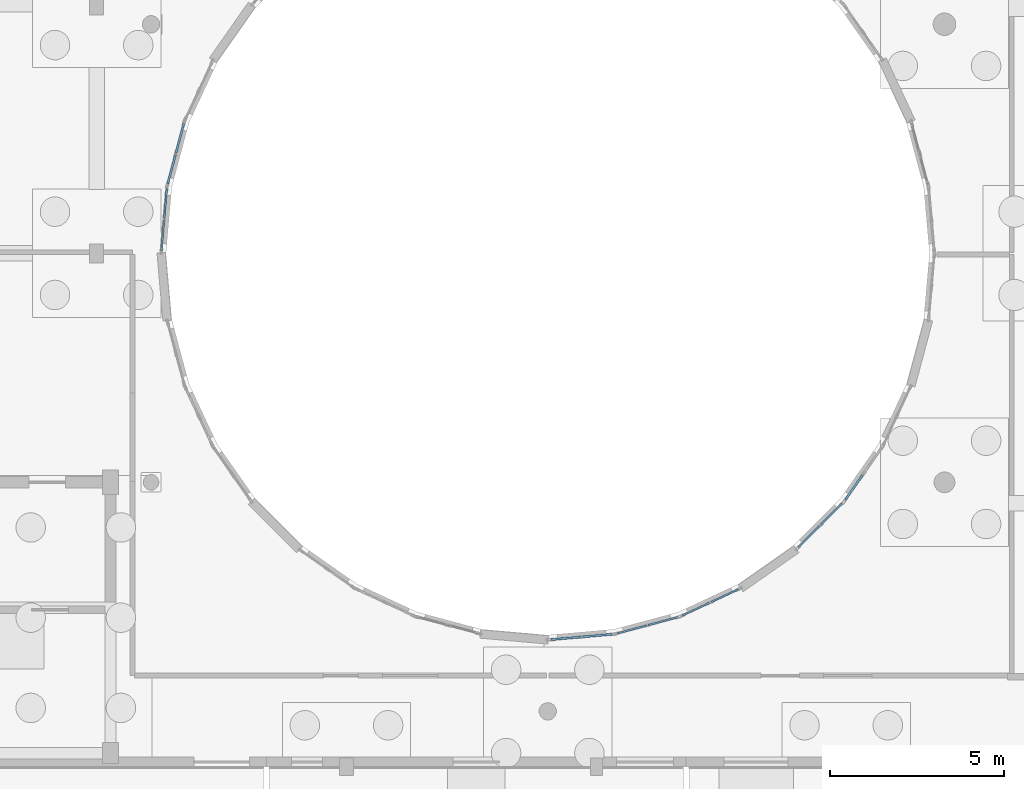
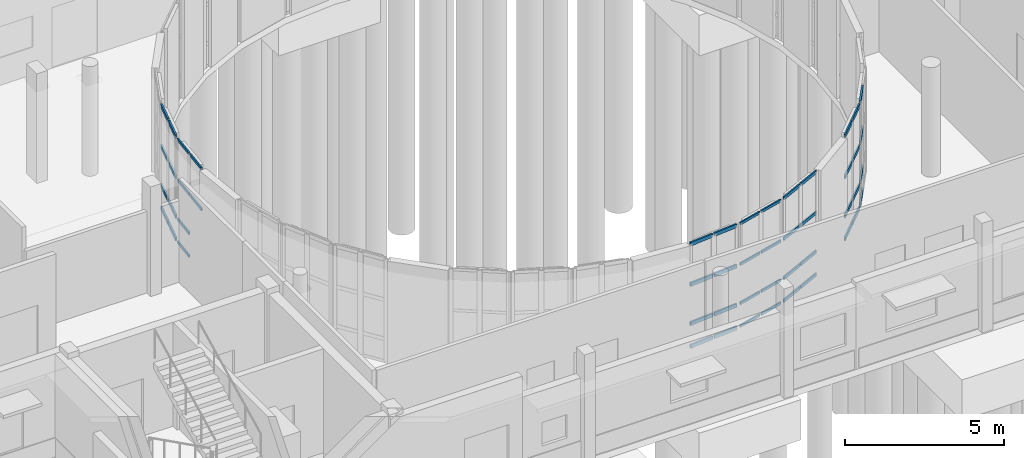
# One storey, part 40 of 93: 50 members, 7 elements without a shape of their own.
"""IFC4 building model written with IfcOpenShell, lengths in metres."""

from ifc_helpers import new_model, si_unit, direction, frame, origin, origin_2d, place, context, subcontext, project, spatial, hollow_rectangle, extrude, material, layer, layer_set, material_profile, profile_set, type_object, element, aggregate, save


model = new_model("IFC4")

# Units and contexts
model_context = context("Model", 3, precision=1e-05, world=origin(), true_north=direction((0.0, 1.0)))
body_context = subcontext(model_context, "Body", "Model", "MODEL_VIEW")
ifc_project = project(units=[si_unit("LENGTHUNIT", "METRE"), si_unit("AREAUNIT", "SQUARE_METRE"), si_unit("VOLUMEUNIT", "CUBIC_METRE"), si_unit("PLANEANGLEUNIT", "RADIAN"), si_unit("MASSUNIT", "GRAM", prefix="KILO")], contexts=[model_context])

# Site, building, storey
site_placement = place(None, origin())
site = spatial("IfcSite", under=ifc_project, at=site_placement, CompositionType="ELEMENT")
building_placement = place(site_placement, origin())
building = spatial("IfcBuilding", under=site, at=building_placement, Name="Kelanivale Promenade Academy", CompositionType="ELEMENT")
storey_placement = place(building_placement, origin())
storey = spatial("IfcBuildingStorey", under=building, at=storey_placement, Name="L00", CompositionType="ELEMENT", Elevation=0.0)

# Curtain wall, members
ifc_material_1 = material(Name="Bronze anodised aluminium and solar-control low-E glass", Category="aluminium")
ifc_layer_1 = layer(ifc_material_1, 0.169921875)
ifc_layer_set_1 = layer_set([ifc_layer_1], Name="Bronze anodised aluminium and solar-control low-E glass")
curtain_wall_type_1 = type_object("IfcCurtainWallType", Name="CW-13 Curtain Wall 1350mm Module", PredefinedType="USERDEFINED", material=ifc_layer_set_1)
curtain_wall_1_placement = place(storey_placement, origin())
curtain_wall_1 = element("IfcCurtainWall", 1, at=curtain_wall_1_placement, inside=storey, type_object=curtain_wall_type_1, Name="L00 courtyard curtain wall CW-13", ObjectType="COURTYARD SCREEN GLAZING", PredefinedType="USERDEFINED")
ifc_material_2 = material(Name="Bronze anodised aluminium EN AW-6063 T6", Category="aluminium")
ifc_material_profile_1 = material_profile(ifc_material_2, hollow_rectangle(XDim=0.050048828125, YDim=0.10009765625, WallThickness=0.0029296875, at=origin_2d()), Name="ALU 50x100x3.0")
ifc_profile_set_1 = profile_set([ifc_material_profile_1], Name="Bronze anodised aluminium EN AW-6063 T6")
member_type_1 = type_object("IfcMemberType", Name="CWT-01 ALU 50x100x3.0", PredefinedType="USERDEFINED", material=ifc_profile_set_1)
member_1_placement = place(storey_placement, frame((52.4228515625, 58.662109375, 0.02490234375), z_axis=(-0.087339315434, -0.996178620519, 0.0), x_axis=(0.996178620519, -0.087339315434, 0.0)))
member_1 = element("IfcMember", 2, at=member_1_placement, type_object=member_type_1, Name="CW-13 transom 1.1", ObjectType="TRANSOM", PredefinedType="USERDEFINED", context=body_context, shape_type="SweptSolid", body=[
    extrude(hollow_rectangle(XDim=0.050048828125, YDim=0.10009765625, WallThickness=0.0029296875, at=origin_2d()), origin(), (0.0, 0.0, 1.0), 0.86083984375),
])
member_2_placement = place(storey_placement, frame((52.4228515625, 58.662109375, 0.89990234375), z_axis=(-0.087339315434, -0.996178620519, 0.0), x_axis=(0.996178620519, -0.087339315434, 0.0)))
member_2 = element("IfcMember", 3, at=member_2_placement, type_object=member_type_1, Name="CW-13 transom 1.2", ObjectType="TRANSOM", PredefinedType="USERDEFINED", context=body_context, shape_type="SweptSolid", body=[
    extrude(hollow_rectangle(XDim=0.050048828125, YDim=0.10009765625, WallThickness=0.0029296875, at=origin_2d()), origin(), (0.0, 0.0, 1.0), 0.86083984375),
])
member_3_placement = place(storey_placement, frame((52.4228515625, 58.662109375, 2.39990234375), z_axis=(-0.087339315434, -0.996178620519, 0.0), x_axis=(0.996178620519, -0.087339315434, 0.0)))
member_3 = element("IfcMember", 4, at=member_3_placement, type_object=member_type_1, Name="CW-13 transom 1.3", ObjectType="TRANSOM", PredefinedType="USERDEFINED", context=body_context, shape_type="SweptSolid", body=[
    extrude(hollow_rectangle(XDim=0.050048828125, YDim=0.10009765625, WallThickness=0.0029296875, at=origin_2d()), origin(), (0.0, 0.0, 1.0), 0.86083984375),
])
member_4_placement = place(storey_placement, frame((52.4228515625, 58.662109375, 3.955078125), z_axis=(-0.087339315434, -0.996178620519, 0.0), x_axis=(0.996178620519, -0.087339315434, 0.0)))
member_4 = element("IfcMember", 5, at=member_4_placement, type_object=member_type_1, Name="CW-13 transom 1.4", ObjectType="TRANSOM", PredefinedType="USERDEFINED", context=body_context, shape_type="SweptSolid", body=[
    extrude(hollow_rectangle(XDim=0.050048828125, YDim=0.10009765625, WallThickness=0.0029296875, at=origin_2d()), origin(), (0.0, 0.0, 1.0), 0.86083984375),
])
member_5_placement = place(storey_placement, frame((52.34228515625, 57.74462890625, 2.39990234375), z_axis=(-0.087033311997, -0.996205401814, 0.0), x_axis=(0.996205401814, -0.087033311997, 0.0)))
member_5 = element("IfcMember", 6, at=member_5_placement, type_object=member_type_1, Name="CW-13 transom 2.3", ObjectType="TRANSOM", PredefinedType="USERDEFINED", context=body_context, shape_type="SweptSolid", body=[
    extrude(hollow_rectangle(XDim=0.050048828125, YDim=0.10009765625, WallThickness=0.0029296875, at=origin_2d()), origin(), (0.0, 0.0, 1.0), 0.861083984375),
])
member_6_placement = place(storey_placement, frame((52.34228515625, 57.74462890625, 3.955078125), z_axis=(-0.087033311997, -0.996205401814, 0.0), x_axis=(0.996205401814, -0.087033311997, 0.0)))
member_6 = element("IfcMember", 7, at=member_6_placement, type_object=member_type_1, Name="CW-13 transom 2.4", ObjectType="TRANSOM", PredefinedType="USERDEFINED", context=body_context, shape_type="SweptSolid", body=[
    extrude(hollow_rectangle(XDim=0.050048828125, YDim=0.10009765625, WallThickness=0.0029296875, at=origin_2d()), origin(), (0.0, 0.0, 1.0), 0.861083984375),
])
aggregate(curtain_wall_1, [member_1, member_2, member_3, member_4, member_5, member_6])

ifc_layer_2 = layer(ifc_material_1, 0.159912109375)
ifc_layer_set_2 = layer_set([ifc_layer_2], Name="Bronze anodised aluminium and solar-control low-E glass")
curtain_wall_type_2 = type_object("IfcCurtainWallType", Name="CW-21 Curtain Wall 1650mm Module", PredefinedType="USERDEFINED", material=ifc_layer_set_2)
curtain_wall_2_placement = place(storey_placement, origin())
curtain_wall_2 = element("IfcCurtainWall", 8, at=curtain_wall_2_placement, inside=storey, type_object=curtain_wall_type_2, Name="L00 courtyard curtain wall CW-21", ObjectType="COURTYARD SCREEN GLAZING", PredefinedType="USERDEFINED")
member_7_placement = place(storey_placement, frame((65.404052734375, 45.847412109375, 0.02490234375), z_axis=(0.965902871419, 0.258904698654, 0.0), x_axis=(-0.258904698654, 0.965902871419, 0.0)))
member_7 = element("IfcMember", 9, at=member_7_placement, type_object=member_type_1, Name="CW-21 transom 1.1", ObjectType="TRANSOM", PredefinedType="USERDEFINED", context=body_context, shape_type="SweptSolid", body=[
    extrude(hollow_rectangle(XDim=0.050048828125, YDim=0.10009765625, WallThickness=0.0029296875, at=origin_2d()), origin(), (0.0, 0.0, 1.0), 0.868408203125),
])
member_8_placement = place(storey_placement, frame((65.404052734375, 45.847412109375, 0.89990234375), z_axis=(0.965902871419, 0.258904698654, 0.0), x_axis=(-0.258904698654, 0.965902871419, 0.0)))
member_8 = element("IfcMember", 10, at=member_8_placement, type_object=member_type_1, Name="CW-21 transom 1.2", ObjectType="TRANSOM", PredefinedType="USERDEFINED", context=body_context, shape_type="SweptSolid", body=[
    extrude(hollow_rectangle(XDim=0.050048828125, YDim=0.10009765625, WallThickness=0.0029296875, at=origin_2d()), origin(), (0.0, 0.0, 1.0), 0.868408203125),
])
member_9_placement = place(storey_placement, frame((65.404052734375, 45.847412109375, 2.39990234375), z_axis=(0.965902871419, 0.258904698654, 0.0), x_axis=(-0.258904698654, 0.965902871419, 0.0)))
member_9 = element("IfcMember", 11, at=member_9_placement, type_object=member_type_1, Name="CW-21 transom 1.3", ObjectType="TRANSOM", PredefinedType="USERDEFINED", context=body_context, shape_type="SweptSolid", body=[
    extrude(hollow_rectangle(XDim=0.050048828125, YDim=0.10009765625, WallThickness=0.0029296875, at=origin_2d()), origin(), (0.0, 0.0, 1.0), 0.868408203125),
])
member_10_placement = place(storey_placement, frame((65.404052734375, 45.847412109375, 3.955078125), z_axis=(0.965902871419, 0.258904698654, 0.0), x_axis=(-0.258904698654, 0.965902871419, 0.0)))
member_10 = element("IfcMember", 12, at=member_10_placement, type_object=member_type_1, Name="CW-21 transom 1.4", ObjectType="TRANSOM", PredefinedType="USERDEFINED", context=body_context, shape_type="SweptSolid", body=[
    extrude(hollow_rectangle(XDim=0.050048828125, YDim=0.10009765625, WallThickness=0.0029296875, at=origin_2d()), origin(), (0.0, 0.0, 1.0), 0.868408203125),
])
member_11_placement = place(storey_placement, frame((66.301025390625, 46.087646484375, 0.02490234375), z_axis=(0.965921707186, 0.258834417317, 0.0), x_axis=(-0.258834417317, 0.965921707186, 0.0)))
member_11 = element("IfcMember", 13, at=member_11_placement, type_object=member_type_1, Name="CW-21 transom 2.1", ObjectType="TRANSOM", PredefinedType="USERDEFINED", context=body_context, shape_type="SweptSolid", body=[
    extrude(hollow_rectangle(XDim=0.050048828125, YDim=0.10009765625, WallThickness=0.0029296875, at=origin_2d()), origin(), (0.0, 0.0, 1.0), 0.86865234375),
])
member_12_placement = place(storey_placement, frame((66.301025390625, 46.087646484375, 0.89990234375), z_axis=(0.965921707186, 0.258834417317, 0.0), x_axis=(-0.258834417317, 0.965921707186, 0.0)))
member_12 = element("IfcMember", 14, at=member_12_placement, type_object=member_type_1, Name="CW-21 transom 2.2", ObjectType="TRANSOM", PredefinedType="USERDEFINED", context=body_context, shape_type="SweptSolid", body=[
    extrude(hollow_rectangle(XDim=0.050048828125, YDim=0.10009765625, WallThickness=0.0029296875, at=origin_2d()), origin(), (0.0, 0.0, 1.0), 0.86865234375),
])
member_13_placement = place(storey_placement, frame((66.301025390625, 46.087646484375, 2.39990234375), z_axis=(0.965921707186, 0.258834417317, 0.0), x_axis=(-0.258834417317, 0.965921707186, 0.0)))
member_13 = element("IfcMember", 15, at=member_13_placement, type_object=member_type_1, Name="CW-21 transom 2.3", ObjectType="TRANSOM", PredefinedType="USERDEFINED", context=body_context, shape_type="SweptSolid", body=[
    extrude(hollow_rectangle(XDim=0.050048828125, YDim=0.10009765625, WallThickness=0.0029296875, at=origin_2d()), origin(), (0.0, 0.0, 1.0), 0.86865234375),
])
member_14_placement = place(storey_placement, frame((66.301025390625, 46.087646484375, 3.955078125), z_axis=(0.965921707186, 0.258834417317, 0.0), x_axis=(-0.258834417317, 0.965921707186, 0.0)))
member_14 = element("IfcMember", 16, at=member_14_placement, type_object=member_type_1, Name="CW-21 transom 2.4", ObjectType="TRANSOM", PredefinedType="USERDEFINED", context=body_context, shape_type="SweptSolid", body=[
    extrude(hollow_rectangle(XDim=0.050048828125, YDim=0.10009765625, WallThickness=0.0029296875, at=origin_2d()), origin(), (0.0, 0.0, 1.0), 0.86865234375),
])
aggregate(curtain_wall_2, [member_7, member_8, member_9, member_10, member_11, member_12, member_13, member_14])

ifc_layer_3 = layer(ifc_material_1, 0.169921875)
ifc_layer_set_3 = layer_set([ifc_layer_3], Name="Bronze anodised aluminium and solar-control low-E glass")
curtain_wall_type_3 = type_object("IfcCurtainWallType", Name="CW-22 Curtain Wall 1800mm Module", PredefinedType="USERDEFINED", material=ifc_layer_set_3)
curtain_wall_3_placement = place(storey_placement, origin())
curtain_wall_3 = element("IfcCurtainWall", 17, at=curtain_wall_3_placement, inside=storey, type_object=curtain_wall_type_3, Name="L00 courtyard curtain wall CW-22", ObjectType="COURTYARD SCREEN GLAZING", PredefinedType="USERDEFINED")
ifc_material_profile_2 = material_profile(ifc_material_2, hollow_rectangle(XDim=0.050048828125, YDim=0.1201171875, WallThickness=0.0029296875, at=origin_2d()), Name="ALU 50x120x3.0")
ifc_profile_set_2 = profile_set([ifc_material_profile_2], Name="Bronze anodised aluminium EN AW-6063 T6")
member_type_2 = type_object("IfcMemberType", Name="CWT-02 ALU 50x120x3.0", PredefinedType="USERDEFINED", material=ifc_profile_set_2)
member_15_placement = place(storey_placement, frame((67.275390625, 46.361328125, 0.02490234375), z_axis=(0.906067258868, 0.423133693303, 0.0), x_axis=(-0.423133693303, 0.906067258868, 0.0)))
member_15 = element("IfcMember", 18, at=member_15_placement, type_object=member_type_2, Name="CW-22 transom 1.1", ObjectType="TRANSOM", PredefinedType="USERDEFINED", context=body_context, shape_type="SweptSolid", body=[
    extrude(hollow_rectangle(XDim=0.050048828125, YDim=0.1201171875, WallThickness=0.0029296875, at=origin_2d()), origin(), (0.0, 0.0, 1.0), 0.861328125),
])
member_16_placement = place(storey_placement, frame((67.275390625, 46.361328125, 0.89990234375), z_axis=(0.906067258868, 0.423133693303, 0.0), x_axis=(-0.423133693303, 0.906067258868, 0.0)))
member_16 = element("IfcMember", 19, at=member_16_placement, type_object=member_type_2, Name="CW-22 transom 1.2", ObjectType="TRANSOM", PredefinedType="USERDEFINED", context=body_context, shape_type="SweptSolid", body=[
    extrude(hollow_rectangle(XDim=0.050048828125, YDim=0.1201171875, WallThickness=0.0029296875, at=origin_2d()), origin(), (0.0, 0.0, 1.0), 0.861328125),
])
member_17_placement = place(storey_placement, frame((67.275390625, 46.361328125, 2.39990234375), z_axis=(0.906067258868, 0.423133693303, 0.0), x_axis=(-0.423133693303, 0.906067258868, 0.0)))
member_17 = element("IfcMember", 20, at=member_17_placement, type_object=member_type_2, Name="CW-22 transom 1.3", ObjectType="TRANSOM", PredefinedType="USERDEFINED", context=body_context, shape_type="SweptSolid", body=[
    extrude(hollow_rectangle(XDim=0.050048828125, YDim=0.1201171875, WallThickness=0.0029296875, at=origin_2d()), origin(), (0.0, 0.0, 1.0), 0.861328125),
])
member_18_placement = place(storey_placement, frame((67.275390625, 46.361328125, 3.955078125), z_axis=(0.906067258868, 0.423133693303, 0.0), x_axis=(-0.423133693303, 0.906067258868, 0.0)))
member_18 = element("IfcMember", 21, at=member_18_placement, type_object=member_type_2, Name="CW-22 transom 1.4", ObjectType="TRANSOM", PredefinedType="USERDEFINED", context=body_context, shape_type="SweptSolid", body=[
    extrude(hollow_rectangle(XDim=0.050048828125, YDim=0.1201171875, WallThickness=0.0029296875, at=origin_2d()), origin(), (0.0, 0.0, 1.0), 0.861328125),
])
member_19_placement = place(storey_placement, frame((68.110107421875, 46.751220703125, 0.02490234375), z_axis=(0.906067258868, 0.423133693303, 0.0), x_axis=(-0.423133693303, 0.906067258868, 0.0)))
member_19 = element("IfcMember", 22, at=member_19_placement, type_object=member_type_2, Name="CW-22 transom 2.1", ObjectType="TRANSOM", PredefinedType="USERDEFINED", context=body_context, shape_type="SweptSolid", body=[
    extrude(hollow_rectangle(XDim=0.050048828125, YDim=0.1201171875, WallThickness=0.0029296875, at=origin_2d()), origin(), (0.0, 0.0, 1.0), 0.861328125),
])
member_20_placement = place(storey_placement, frame((68.110107421875, 46.751220703125, 0.89990234375), z_axis=(0.906067258868, 0.423133693303, 0.0), x_axis=(-0.423133693303, 0.906067258868, 0.0)))
member_20 = element("IfcMember", 23, at=member_20_placement, type_object=member_type_2, Name="CW-22 transom 2.2", ObjectType="TRANSOM", PredefinedType="USERDEFINED", context=body_context, shape_type="SweptSolid", body=[
    extrude(hollow_rectangle(XDim=0.050048828125, YDim=0.1201171875, WallThickness=0.0029296875, at=origin_2d()), origin(), (0.0, 0.0, 1.0), 0.861328125),
])
member_21_placement = place(storey_placement, frame((68.110107421875, 46.751220703125, 2.39990234375), z_axis=(0.906067258868, 0.423133693303, 0.0), x_axis=(-0.423133693303, 0.906067258868, 0.0)))
member_21 = element("IfcMember", 24, at=member_21_placement, type_object=member_type_2, Name="CW-22 transom 2.3", ObjectType="TRANSOM", PredefinedType="USERDEFINED", context=body_context, shape_type="SweptSolid", body=[
    extrude(hollow_rectangle(XDim=0.050048828125, YDim=0.1201171875, WallThickness=0.0029296875, at=origin_2d()), origin(), (0.0, 0.0, 1.0), 0.861328125),
])
member_22_placement = place(storey_placement, frame((68.110107421875, 46.751220703125, 3.955078125), z_axis=(0.906067258868, 0.423133693303, 0.0), x_axis=(-0.423133693303, 0.906067258868, 0.0)))
member_22 = element("IfcMember", 25, at=member_22_placement, type_object=member_type_2, Name="CW-22 transom 2.4", ObjectType="TRANSOM", PredefinedType="USERDEFINED", context=body_context, shape_type="SweptSolid", body=[
    extrude(hollow_rectangle(XDim=0.050048828125, YDim=0.1201171875, WallThickness=0.0029296875, at=origin_2d()), origin(), (0.0, 0.0, 1.0), 0.861328125),
])
aggregate(curtain_wall_3, [member_15, member_16, member_17, member_18, member_19, member_20, member_21, member_22])

ifc_layer_4 = layer(ifc_material_1, 0.179931640625)
ifc_layer_set_4 = layer_set([ifc_layer_4], Name="Bronze anodised aluminium and solar-control low-E glass")
curtain_wall_type_4 = type_object("IfcCurtainWallType", Name="CW-23 Curtain Wall 1950mm Module", PredefinedType="USERDEFINED", material=ifc_layer_set_4)
curtain_wall_4_placement = place(storey_placement, origin())
curtain_wall_4 = element("IfcCurtainWall", 26, at=curtain_wall_4_placement, inside=storey, type_object=curtain_wall_type_4, Name="L00 courtyard curtain wall CW-23", ObjectType="COURTYARD SCREEN GLAZING", PredefinedType="USERDEFINED")
ifc_material_profile_3 = material_profile(ifc_material_2, hollow_rectangle(XDim=0.050048828125, YDim=0.14990234375, WallThickness=0.00341796875, at=origin_2d()), Name="ALU 50x150x3.5")
ifc_profile_set_3 = profile_set([ifc_material_profile_3], Name="Bronze anodised aluminium EN AW-6063 T6")
member_type_3 = type_object("IfcMemberType", Name="CWT-03 ALU 50x150x3.5", PredefinedType="USERDEFINED", material=ifc_profile_set_3)
member_23_placement = place(storey_placement, frame((70.626953125, 48.33203125, 0.02490234375), z_axis=(0.707106781187, 0.707106781187, 0.0), x_axis=(-0.707106781187, 0.707106781187, 0.0)))
member_23 = element("IfcMember", 27, at=member_23_placement, type_object=member_type_3, Name="CW-23 transom 1.1", ObjectType="TRANSOM", PredefinedType="USERDEFINED", context=body_context, shape_type="SweptSolid", body=[
    extrude(hollow_rectangle(XDim=0.050048828125, YDim=0.14990234375, WallThickness=0.00341796875, at=origin_2d()), origin(), (0.0, 0.0, 1.0), 0.852783203125),
])
member_24_placement = place(storey_placement, frame((70.626953125, 48.33203125, 0.89990234375), z_axis=(0.707106781187, 0.707106781187, 0.0), x_axis=(-0.707106781187, 0.707106781187, 0.0)))
member_24 = element("IfcMember", 28, at=member_24_placement, type_object=member_type_3, Name="CW-23 transom 1.2", ObjectType="TRANSOM", PredefinedType="USERDEFINED", context=body_context, shape_type="SweptSolid", body=[
    extrude(hollow_rectangle(XDim=0.050048828125, YDim=0.14990234375, WallThickness=0.00341796875, at=origin_2d()), origin(), (0.0, 0.0, 1.0), 0.852783203125),
])
member_25_placement = place(storey_placement, frame((70.626953125, 48.33203125, 2.39990234375), z_axis=(0.707106781187, 0.707106781187, 0.0), x_axis=(-0.707106781187, 0.707106781187, 0.0)))
member_25 = element("IfcMember", 29, at=member_25_placement, type_object=member_type_3, Name="CW-23 transom 1.3", ObjectType="TRANSOM", PredefinedType="USERDEFINED", context=body_context, shape_type="SweptSolid", body=[
    extrude(hollow_rectangle(XDim=0.050048828125, YDim=0.14990234375, WallThickness=0.00341796875, at=origin_2d()), origin(), (0.0, 0.0, 1.0), 0.852783203125),
])
member_26_placement = place(storey_placement, frame((70.626953125, 48.33203125, 3.955078125), z_axis=(0.707106781187, 0.707106781187, 0.0), x_axis=(-0.707106781187, 0.707106781187, 0.0)))
member_26 = element("IfcMember", 30, at=member_26_placement, type_object=member_type_3, Name="CW-23 transom 1.4", ObjectType="TRANSOM", PredefinedType="USERDEFINED", context=body_context, shape_type="SweptSolid", body=[
    extrude(hollow_rectangle(XDim=0.050048828125, YDim=0.14990234375, WallThickness=0.00341796875, at=origin_2d()), origin(), (0.0, 0.0, 1.0), 0.852783203125),
])
member_27_placement = place(storey_placement, frame((71.27587890625, 48.98095703125, 0.02490234375), z_axis=(0.707249876757, 0.706963656653, 0.0), x_axis=(-0.706963656653, 0.707249876757, 0.0)))
member_27 = element("IfcMember", 31, at=member_27_placement, type_object=member_type_3, Name="CW-23 transom 2.1", ObjectType="TRANSOM", PredefinedType="USERDEFINED", context=body_context, shape_type="SweptSolid", body=[
    extrude(hollow_rectangle(XDim=0.050048828125, YDim=0.14990234375, WallThickness=0.00341796875, at=origin_2d()), origin(), (0.0, 0.0, 1.0), 0.85302734375),
])
member_28_placement = place(storey_placement, frame((71.27587890625, 48.98095703125, 0.89990234375), z_axis=(0.707249876757, 0.706963656653, 0.0), x_axis=(-0.706963656653, 0.707249876757, 0.0)))
member_28 = element("IfcMember", 32, at=member_28_placement, type_object=member_type_3, Name="CW-23 transom 2.2", ObjectType="TRANSOM", PredefinedType="USERDEFINED", context=body_context, shape_type="SweptSolid", body=[
    extrude(hollow_rectangle(XDim=0.050048828125, YDim=0.14990234375, WallThickness=0.00341796875, at=origin_2d()), origin(), (0.0, 0.0, 1.0), 0.85302734375),
])
member_29_placement = place(storey_placement, frame((71.27587890625, 48.98095703125, 2.39990234375), z_axis=(0.707249876757, 0.706963656653, 0.0), x_axis=(-0.706963656653, 0.707249876757, 0.0)))
member_29 = element("IfcMember", 33, at=member_29_placement, type_object=member_type_3, Name="CW-23 transom 2.3", ObjectType="TRANSOM", PredefinedType="USERDEFINED", context=body_context, shape_type="SweptSolid", body=[
    extrude(hollow_rectangle(XDim=0.050048828125, YDim=0.14990234375, WallThickness=0.00341796875, at=origin_2d()), origin(), (0.0, 0.0, 1.0), 0.85302734375),
])
member_30_placement = place(storey_placement, frame((71.27587890625, 48.98095703125, 3.955078125), z_axis=(0.707249876757, 0.706963656653, 0.0), x_axis=(-0.706963656653, 0.707249876757, 0.0)))
member_30 = element("IfcMember", 34, at=member_30_placement, type_object=member_type_3, Name="CW-23 transom 2.4", ObjectType="TRANSOM", PredefinedType="USERDEFINED", context=body_context, shape_type="SweptSolid", body=[
    extrude(hollow_rectangle(XDim=0.050048828125, YDim=0.14990234375, WallThickness=0.00341796875, at=origin_2d()), origin(), (0.0, 0.0, 1.0), 0.85302734375),
])
aggregate(curtain_wall_4, [member_23, member_24, member_25, member_26, member_27, member_28, member_29, member_30])

ifc_layer_5 = layer(ifc_material_1, 0.159912109375)
ifc_layer_set_5 = layer_set([ifc_layer_5], Name="Bronze anodised aluminium and solar-control low-E glass")
curtain_wall_type_5 = type_object("IfcCurtainWallType", Name="CW-12 Curtain Wall 1200mm Module", PredefinedType="USERDEFINED", material=ifc_layer_set_5)
curtain_wall_5_placement = place(storey_placement, origin())
curtain_wall_5 = element("IfcCurtainWall", 35, at=curtain_wall_5_placement, inside=storey, type_object=curtain_wall_type_5, Name="L00 courtyard curtain wall CW-12", ObjectType="UNITISED GLAZING", PredefinedType="USERDEFINED")
ifc_material_profile_4 = material_profile(ifc_material_2, hollow_rectangle(XDim=0.06005859375, YDim=0.139892578125, WallThickness=0.00341796875, at=origin_2d()), Name="ALU 60x140x3.5")
ifc_profile_set_4 = profile_set([ifc_material_profile_4], Name="Bronze anodised aluminium EN AW-6063 T6")
member_type_4 = type_object("IfcMemberType", Name="CWT-04 ALU 60x140x3.5", PredefinedType="USERDEFINED", material=ifc_profile_set_4)
member_31_placement = place(storey_placement, frame((52.9111328125, 60.53515625, 0.030029296875), z_axis=(-0.258580186254, -0.965989796673, 0.0), x_axis=(0.965989796673, -0.258580186254, 0.0)))
member_31 = element("IfcMember", 36, at=member_31_placement, type_object=member_type_4, Name="CW-12 transom 1.1", ObjectType="TRANSOM", PredefinedType="USERDEFINED", context=body_context, shape_type="SweptSolid", body=[
    extrude(hollow_rectangle(XDim=0.06005859375, YDim=0.139892578125, WallThickness=0.00341796875, at=origin_2d()), origin(), (0.0, 0.0, 1.0), 0.861083984375),
])
member_32_placement = place(storey_placement, frame((52.9111328125, 60.53515625, 0.89990234375), z_axis=(-0.258580186254, -0.965989796673, 0.0), x_axis=(0.965989796673, -0.258580186254, 0.0)))
member_32 = element("IfcMember", 37, at=member_32_placement, type_object=member_type_4, Name="CW-12 transom 1.2", ObjectType="TRANSOM", PredefinedType="USERDEFINED", context=body_context, shape_type="SweptSolid", body=[
    extrude(hollow_rectangle(XDim=0.06005859375, YDim=0.139892578125, WallThickness=0.00341796875, at=origin_2d()), origin(), (0.0, 0.0, 1.0), 0.861083984375),
])
member_33_placement = place(storey_placement, frame((52.9111328125, 60.53515625, 2.39990234375), z_axis=(-0.258580186254, -0.965989796673, 0.0), x_axis=(0.965989796673, -0.258580186254, 0.0)))
member_33 = element("IfcMember", 38, at=member_33_placement, type_object=member_type_4, Name="CW-12 transom 1.3", ObjectType="TRANSOM", PredefinedType="USERDEFINED", context=body_context, shape_type="SweptSolid", body=[
    extrude(hollow_rectangle(XDim=0.06005859375, YDim=0.139892578125, WallThickness=0.00341796875, at=origin_2d()), origin(), (0.0, 0.0, 1.0), 0.861083984375),
])
member_34_placement = place(storey_placement, frame((52.9111328125, 60.53515625, 3.949951171875), z_axis=(-0.258580186254, -0.965989796673, 0.0), x_axis=(0.965989796673, -0.258580186254, 0.0)))
member_34 = element("IfcMember", 39, at=member_34_placement, type_object=member_type_4, Name="CW-12 transom 1.4", ObjectType="TRANSOM", PredefinedType="USERDEFINED", context=body_context, shape_type="SweptSolid", body=[
    extrude(hollow_rectangle(XDim=0.06005859375, YDim=0.139892578125, WallThickness=0.00341796875, at=origin_2d()), origin(), (0.0, 0.0, 1.0), 0.861083984375),
])
member_35_placement = place(storey_placement, frame((52.671630859375, 59.640625, 0.030029296875), z_axis=(-0.258844730128, -0.965918943641, 0.0), x_axis=(0.965918943641, -0.258844730128, 0.0)))
member_35 = element("IfcMember", 40, at=member_35_placement, type_object=member_type_4, Name="CW-12 transom 2.1", ObjectType="TRANSOM", PredefinedType="USERDEFINED", context=body_context, shape_type="SweptSolid", body=[
    extrude(hollow_rectangle(XDim=0.06005859375, YDim=0.139892578125, WallThickness=0.00341796875, at=origin_2d()), origin(), (0.0, 0.0, 1.0), 0.861083984375),
])
member_36_placement = place(storey_placement, frame((52.671630859375, 59.640625, 0.89990234375), z_axis=(-0.258844730128, -0.965918943641, 0.0), x_axis=(0.965918943641, -0.258844730128, 0.0)))
member_36 = element("IfcMember", 41, at=member_36_placement, type_object=member_type_4, Name="CW-12 transom 2.2", ObjectType="TRANSOM", PredefinedType="USERDEFINED", context=body_context, shape_type="SweptSolid", body=[
    extrude(hollow_rectangle(XDim=0.06005859375, YDim=0.139892578125, WallThickness=0.00341796875, at=origin_2d()), origin(), (0.0, 0.0, 1.0), 0.861083984375),
])
member_37_placement = place(storey_placement, frame((52.671630859375, 59.640625, 2.39990234375), z_axis=(-0.258844730128, -0.965918943641, 0.0), x_axis=(0.965918943641, -0.258844730128, 0.0)))
member_37 = element("IfcMember", 42, at=member_37_placement, type_object=member_type_4, Name="CW-12 transom 2.3", ObjectType="TRANSOM", PredefinedType="USERDEFINED", context=body_context, shape_type="SweptSolid", body=[
    extrude(hollow_rectangle(XDim=0.06005859375, YDim=0.139892578125, WallThickness=0.00341796875, at=origin_2d()), origin(), (0.0, 0.0, 1.0), 0.861083984375),
])
member_38_placement = place(storey_placement, frame((52.671630859375, 59.640625, 3.949951171875), z_axis=(-0.258844730128, -0.965918943641, 0.0), x_axis=(0.965918943641, -0.258844730128, 0.0)))
member_38 = element("IfcMember", 43, at=member_38_placement, type_object=member_type_4, Name="CW-12 transom 2.4", ObjectType="TRANSOM", PredefinedType="USERDEFINED", context=body_context, shape_type="SweptSolid", body=[
    extrude(hollow_rectangle(XDim=0.06005859375, YDim=0.139892578125, WallThickness=0.00341796875, at=origin_2d()), origin(), (0.0, 0.0, 1.0), 0.861083984375),
])
aggregate(curtain_wall_5, [member_31, member_32, member_33, member_34, member_35, member_36, member_37, member_38])

ifc_layer_6 = layer(ifc_material_1, 0.179931640625)
ifc_layer_set_6 = layer_set([ifc_layer_6], Name="Bronze anodised aluminium and solar-control low-E glass")
curtain_wall_type_6 = type_object("IfcCurtainWallType", Name="CW-20 Curtain Wall 1500mm Module", PredefinedType="USERDEFINED", material=ifc_layer_set_6)
curtain_wall_6_placement = place(storey_placement, origin())
curtain_wall_6 = element("IfcCurtainWall", 44, at=curtain_wall_6_placement, inside=storey, type_object=curtain_wall_type_6, Name="L00 courtyard curtain wall CW-20", ObjectType="COURTYARD SCREEN GLAZING", PredefinedType="USERDEFINED")
member_39_placement = place(storey_placement, frame((63.49169921875, 45.667724609375, 0.030029296875), z_axis=(0.996187816641, 0.087234362353, 0.0), x_axis=(-0.087234362353, 0.996187816641, 0.0)))
member_39 = element("IfcMember", 45, at=member_39_placement, type_object=member_type_4, Name="CW-20 transom 1.1", ObjectType="TRANSOM", PredefinedType="USERDEFINED", context=body_context, shape_type="SweptSolid", body=[
    extrude(hollow_rectangle(XDim=0.06005859375, YDim=0.139892578125, WallThickness=0.00341796875, at=origin_2d()), origin(), (0.0, 0.0, 1.0), 0.853515625),
])
member_40_placement = place(storey_placement, frame((63.49169921875, 45.667724609375, 0.89990234375), z_axis=(0.996187816641, 0.087234362353, 0.0), x_axis=(-0.087234362353, 0.996187816641, 0.0)))
member_40 = element("IfcMember", 46, at=member_40_placement, type_object=member_type_4, Name="CW-20 transom 1.2", ObjectType="TRANSOM", PredefinedType="USERDEFINED", context=body_context, shape_type="SweptSolid", body=[
    extrude(hollow_rectangle(XDim=0.06005859375, YDim=0.139892578125, WallThickness=0.00341796875, at=origin_2d()), origin(), (0.0, 0.0, 1.0), 0.853515625),
])
member_41_placement = place(storey_placement, frame((63.49169921875, 45.667724609375, 2.39990234375), z_axis=(0.996187816641, 0.087234362353, 0.0), x_axis=(-0.087234362353, 0.996187816641, 0.0)))
member_41 = element("IfcMember", 47, at=member_41_placement, type_object=member_type_4, Name="CW-20 transom 1.3", ObjectType="TRANSOM", PredefinedType="USERDEFINED", context=body_context, shape_type="SweptSolid", body=[
    extrude(hollow_rectangle(XDim=0.06005859375, YDim=0.139892578125, WallThickness=0.00341796875, at=origin_2d()), origin(), (0.0, 0.0, 1.0), 0.853515625),
])
member_42_placement = place(storey_placement, frame((63.49169921875, 45.667724609375, 3.949951171875), z_axis=(0.996187816641, 0.087234362353, 0.0), x_axis=(-0.087234362353, 0.996187816641, 0.0)))
member_42 = element("IfcMember", 48, at=member_42_placement, type_object=member_type_4, Name="CW-20 transom 1.4", ObjectType="TRANSOM", PredefinedType="USERDEFINED", context=body_context, shape_type="SweptSolid", body=[
    extrude(hollow_rectangle(XDim=0.06005859375, YDim=0.139892578125, WallThickness=0.00341796875, at=origin_2d()), origin(), (0.0, 0.0, 1.0), 0.853515625),
])
member_43_placement = place(storey_placement, frame((64.406982421875, 45.747802734375, 0.030029296875), z_axis=(0.996187816641, 0.087234362353, 0.0), x_axis=(-0.087234362353, 0.996187816641, 0.0)))
member_43 = element("IfcMember", 49, at=member_43_placement, type_object=member_type_4, Name="CW-20 transom 2.1", ObjectType="TRANSOM", PredefinedType="USERDEFINED", context=body_context, shape_type="SweptSolid", body=[
    extrude(hollow_rectangle(XDim=0.06005859375, YDim=0.139892578125, WallThickness=0.00341796875, at=origin_2d()), origin(), (0.0, 0.0, 1.0), 0.853515625),
])
member_44_placement = place(storey_placement, frame((64.406982421875, 45.747802734375, 0.89990234375), z_axis=(0.996187816641, 0.087234362353, 0.0), x_axis=(-0.087234362353, 0.996187816641, 0.0)))
member_44 = element("IfcMember", 50, at=member_44_placement, type_object=member_type_4, Name="CW-20 transom 2.2", ObjectType="TRANSOM", PredefinedType="USERDEFINED", context=body_context, shape_type="SweptSolid", body=[
    extrude(hollow_rectangle(XDim=0.06005859375, YDim=0.139892578125, WallThickness=0.00341796875, at=origin_2d()), origin(), (0.0, 0.0, 1.0), 0.853515625),
])
member_45_placement = place(storey_placement, frame((64.406982421875, 45.747802734375, 2.39990234375), z_axis=(0.996187816641, 0.087234362353, 0.0), x_axis=(-0.087234362353, 0.996187816641, 0.0)))
member_45 = element("IfcMember", 51, at=member_45_placement, type_object=member_type_4, Name="CW-20 transom 2.3", ObjectType="TRANSOM", PredefinedType="USERDEFINED", context=body_context, shape_type="SweptSolid", body=[
    extrude(hollow_rectangle(XDim=0.06005859375, YDim=0.139892578125, WallThickness=0.00341796875, at=origin_2d()), origin(), (0.0, 0.0, 1.0), 0.853515625),
])
member_46_placement = place(storey_placement, frame((64.406982421875, 45.747802734375, 3.949951171875), z_axis=(0.996187816641, 0.087234362353, 0.0), x_axis=(-0.087234362353, 0.996187816641, 0.0)))
member_46 = element("IfcMember", 52, at=member_46_placement, type_object=member_type_4, Name="CW-20 transom 2.4", ObjectType="TRANSOM", PredefinedType="USERDEFINED", context=body_context, shape_type="SweptSolid", body=[
    extrude(hollow_rectangle(XDim=0.06005859375, YDim=0.139892578125, WallThickness=0.00341796875, at=origin_2d()), origin(), (0.0, 0.0, 1.0), 0.853515625),
])
aggregate(curtain_wall_6, [member_39, member_40, member_41, member_42, member_43, member_44, member_45, member_46])

ifc_layer_7 = layer(ifc_material_1, 0.159912109375)
ifc_layer_set_7 = layer_set([ifc_layer_7], Name="Bronze anodised aluminium and solar-control low-E glass")
curtain_wall_type_7 = type_object("IfcCurtainWallType", Name="CW-24 Curtain Wall 1200mm Module", PredefinedType="USERDEFINED", material=ifc_layer_set_7)
curtain_wall_7_placement = place(storey_placement, origin())
curtain_wall_7 = element("IfcCurtainWall", 53, at=curtain_wall_7_placement, inside=storey, type_object=curtain_wall_type_7, Name="L00 courtyard curtain wall CW-24", ObjectType="COURTYARD SCREEN GLAZING", PredefinedType="USERDEFINED")
member_47_placement = place(storey_placement, frame((71.978271484375, 49.7021484375, 0.030029296875), z_axis=(0.573519395198, 0.819191981975, 0.0), x_axis=(-0.819191981975, 0.573519395198, 0.0)))
member_47 = element("IfcMember", 54, at=member_47_placement, type_object=member_type_4, Name="CW-24 transom 1.1", ObjectType="TRANSOM", PredefinedType="USERDEFINED", context=body_context, shape_type="SweptSolid", body=[
    extrude(hollow_rectangle(XDim=0.06005859375, YDim=0.139892578125, WallThickness=0.00341796875, at=origin_2d()), origin(), (0.0, 0.0, 1.0), 0.861572265625),
])
member_48_placement = place(storey_placement, frame((71.978271484375, 49.7021484375, 0.89990234375), z_axis=(0.573519395198, 0.819191981975, 0.0), x_axis=(-0.819191981975, 0.573519395198, 0.0)))
member_48 = element("IfcMember", 55, at=member_48_placement, type_object=member_type_4, Name="CW-24 transom 1.2", ObjectType="TRANSOM", PredefinedType="USERDEFINED", context=body_context, shape_type="SweptSolid", body=[
    extrude(hollow_rectangle(XDim=0.06005859375, YDim=0.139892578125, WallThickness=0.00341796875, at=origin_2d()), origin(), (0.0, 0.0, 1.0), 0.861572265625),
])
member_49_placement = place(storey_placement, frame((71.978271484375, 49.7021484375, 2.39990234375), z_axis=(0.573519395198, 0.819191981975, 0.0), x_axis=(-0.819191981975, 0.573519395198, 0.0)))
member_49 = element("IfcMember", 56, at=member_49_placement, type_object=member_type_4, Name="CW-24 transom 1.3", ObjectType="TRANSOM", PredefinedType="USERDEFINED", context=body_context, shape_type="SweptSolid", body=[
    extrude(hollow_rectangle(XDim=0.06005859375, YDim=0.139892578125, WallThickness=0.00341796875, at=origin_2d()), origin(), (0.0, 0.0, 1.0), 0.861572265625),
])
member_50_placement = place(storey_placement, frame((71.978271484375, 49.7021484375, 3.949951171875), z_axis=(0.573519395198, 0.819191981975, 0.0), x_axis=(-0.819191981975, 0.573519395198, 0.0)))
member_50 = element("IfcMember", 57, at=member_50_placement, type_object=member_type_4, Name="CW-24 transom 1.4", ObjectType="TRANSOM", PredefinedType="USERDEFINED", context=body_context, shape_type="SweptSolid", body=[
    extrude(hollow_rectangle(XDim=0.06005859375, YDim=0.139892578125, WallThickness=0.00341796875, at=origin_2d()), origin(), (0.0, 0.0, 1.0), 0.861572265625),
])
aggregate(curtain_wall_7, [member_47, member_48, member_49, member_50])

save(model, "model.ifc")
